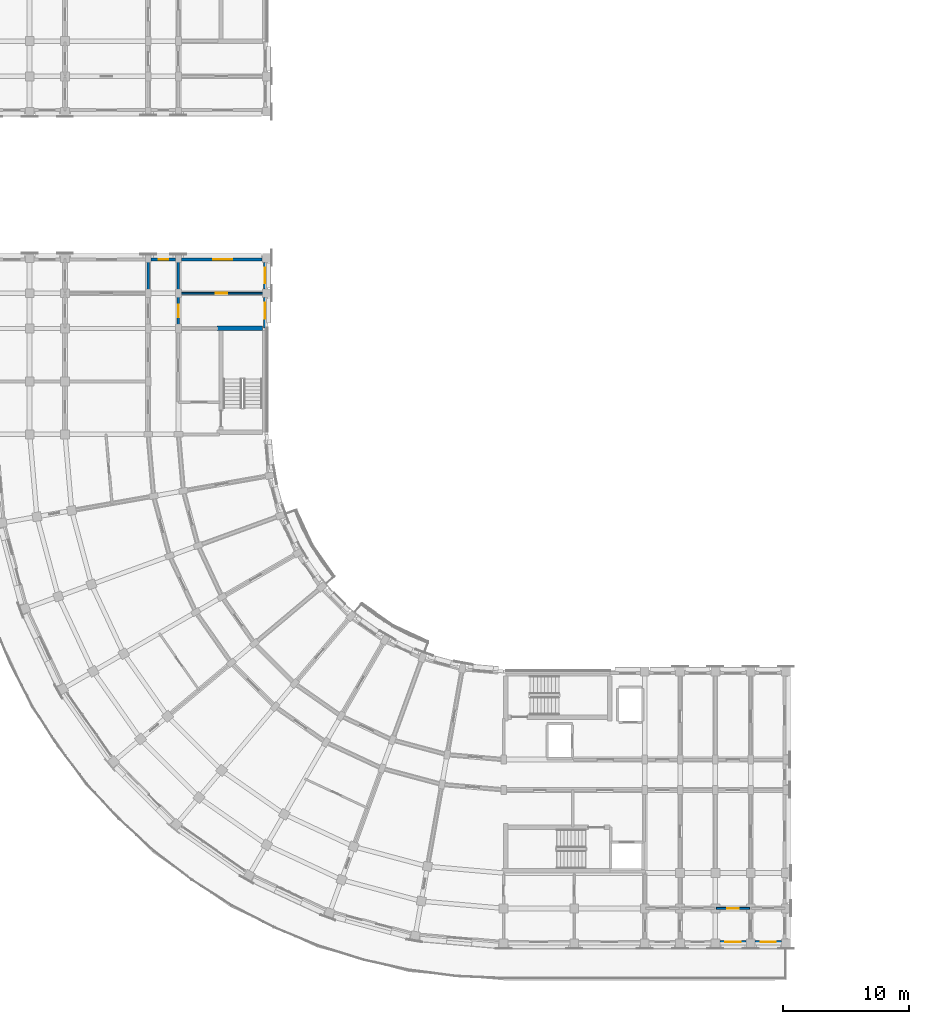
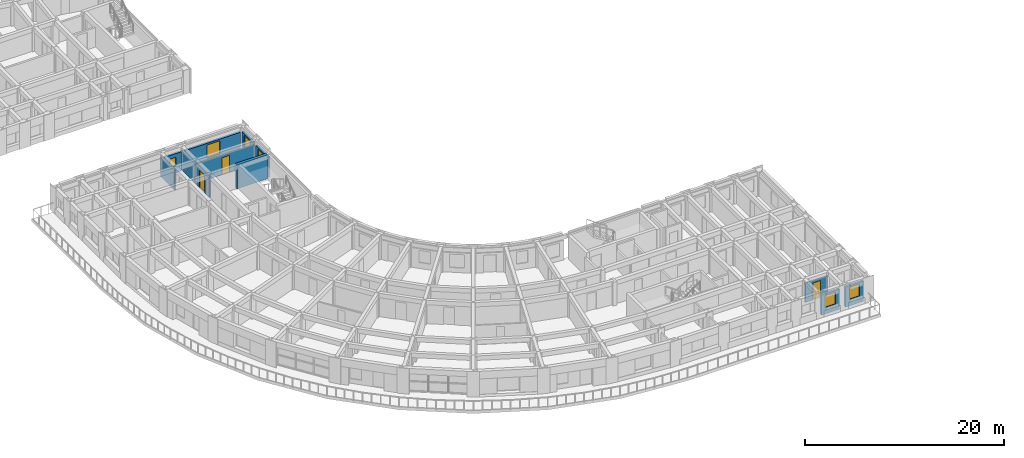
# One storey, part 22 of 57: 12 walls, 6 windows, 3 doors, 9 openings.
"""IFC4 building model written with IfcOpenShell, lengths in metres."""

from ifc_helpers import new_model, si_unit, direction, frame, frame_2d, origin, place, context, subcontext, project, spatial, rectangle, extrude, material, layer, layer_set, type_object, element, fill, save


model = new_model("IFC4")

# Units and contexts
model_context = context("Model", 3, precision=1e-05, world=origin(), true_north=direction((0.0, 1.0)))
body_context = subcontext(model_context, "Body", "Model", "MODEL_VIEW")
ifc_project = project(units=[si_unit("LENGTHUNIT", "METRE"), si_unit("AREAUNIT", "SQUARE_METRE"), si_unit("VOLUMEUNIT", "CUBIC_METRE"), si_unit("PLANEANGLEUNIT", "RADIAN"), si_unit("MASSUNIT", "GRAM", prefix="KILO")], contexts=[model_context])

# Site, building, storey
site_placement = place(None, origin())
site = spatial("IfcSite", under=ifc_project, at=site_placement, CompositionType="ELEMENT")
building_placement = place(site_placement, origin())
building = spatial("IfcBuilding", under=site, at=building_placement, Name="Kiranvali Square Residences", CompositionType="ELEMENT")
storey_placement = place(building_placement, frame((0.0, 0.0, 24.449951171875)))
storey = spatial("IfcBuildingStorey", under=building, at=storey_placement, Name="L07", CompositionType="ELEMENT", Elevation=24.449951171875)

# Wall, opening, door
ifc_material_1 = material(Name="Autoclaved aerated concrete blockwork masonry", Category="masonry")
ifc_layer_1 = layer(ifc_material_1, 0.199951171875)
ifc_layer_set_1 = layer_set([ifc_layer_1], Name="Autoclaved aerated concrete blockwork masonry")
wall_type_1 = type_object("IfcWallType", Name="WL-COR-200", PredefinedType="STANDARD", material=ifc_layer_set_1)
wall_1_placement = place(storey_placement, frame((22.39990234375, 56.60009765625, 0.0), z_axis=(0.0, 0.0, 1.0), x_axis=(0.0, 1.0, 0.0)))
wall_1 = element("IfcWall", 1, at=wall_1_placement, inside=storey, type_object=wall_type_1, Name="L07 architectural wall WL-L07-C-A2CI-0", PredefinedType="STANDARD", context=body_context, shape_type="SweptSolid", body=[
    extrude(rectangle(XDim=2.7998046875, YDim=0.199951171875, at=frame_2d((1.39990234375, 0.0))), origin(), (0.0, 0.0, 1.0), 2.3720703125),
])
opening_1_placement = place(wall_1_placement, frame((0.89990234375, 0.0, 0.0)))
opening_1 = element("IfcOpeningElement", 2, at=opening_1_placement, cuts=wall_1, Name="Opening FD-APT-60", PredefinedType="OPENING", context=body_context, shape_type="SweptSolid", body=[
    extrude(rectangle(XDim=1.0, YDim=2.14990234375, at=frame_2d((0.5, 1.074951171875))), frame((0.0, 0.10986328125, 0.0), z_axis=(0.0, -1.0, 0.0), x_axis=(1.0, 0.0, 0.0)), (0.0, 0.0, 1.0), 0.219970703125),
])
ifc_material_2 = material(Name="Fire-rated acoustic hardwood and mineral-core door assembly", Category="wood")
door_type_1 = type_object("IfcDoorType", Name="DR-APT-1000", OperationType="NOTDEFINED", PredefinedType="DOOR", material=ifc_material_2)
door_1_placement = place(opening_1_placement, origin())
door_1 = element("IfcDoor", 3, at=door_1_placement, inside=storey, type_object=door_type_1, Name="L07 door DR-L07-2193 (DR-APT-1000)", OperationType="SINGLE_SWING_LEFT", OverallHeight=2.14990234375, OverallWidth=1.0, PredefinedType="DOOR", context=body_context, shape_type="SweptSolid", body=[
    extrude(rectangle(XDim=1.0, YDim=2.14990234375, at=frame_2d((0.5, 1.074951171875))), frame((0.0, 0.02490234375, 0.0), z_axis=(0.0, -1.0, 0.0), x_axis=(1.0, 0.0, 0.0)), (0.0, 0.0, 1.0), 0.050048828125),
])
fill(opening_1, door_1)

# Walls
for number, where, z_axis, x_axis, name in (
    (4, (22.39990234375, 59.39990234375, 0.0), (0.0, 0.0, 1.0), (0.0, 1.0, 0.0), "L07 architectural wall WL-L07-C-A2CI-1"),
    (5, (20.0, 59.39990234375, 0.0), (0.0, 0.0, 1.0), (0.0, 1.0, 0.0), "L07 architectural wall WL-L07-C-A2CO-1"),
):
    element("IfcWall", number, at=place(storey_placement, frame(where, z_axis=z_axis, x_axis=x_axis)), inside=storey, type_object=wall_type_1, Name=name, PredefinedType="STANDARD", context=body_context, shape_type="SweptSolid", body=[
        extrude(rectangle(XDim=2.800048828125, YDim=0.199951171875, at=frame_2d((1.39990234375, 0.0))), origin(), (0.0, 0.0, 1.0), 2.3720703125),
    ])

# Wall, opening, window
ifc_material_3 = material(Name="Breathable lime-rendered clay brick masonry", Category="masonry")
ifc_layer_2 = layer(ifc_material_3, 0.25)
ifc_layer_set_2 = layer_set([ifc_layer_2], Name="Breathable lime-rendered clay brick masonry")
wall_type_2 = type_object("IfcWallType", Name="WL-EXT-250", PredefinedType="STANDARD", material=ifc_layer_set_2)
wall_2_placement = place(storey_placement, frame((65.353515625, 7.925048828125, 0.0), z_axis=(0.0, 0.0, 1.0), x_axis=(1.0, 0.0, 0.0)))
wall_2 = element("IfcWall", 6, at=wall_2_placement, inside=storey, type_object=wall_type_2, Name="L07 exterior wall C-L07-A1O-4", PredefinedType="STANDARD", context=body_context, shape_type="SweptSolid", body=[
    extrude(rectangle(XDim=2.093017578125, YDim=0.25, at=frame_2d((1.04638671875, 0.0))), origin(), (0.0, 0.0, 1.0), 2.47998046875),
])
opening_2_placement = place(wall_2_placement, frame((0.446533203125, 0.0, 0.780029296875)))
opening_2 = element("IfcOpeningElement", 7, at=opening_2_placement, cuts=wall_2, Name="Opening W-06", PredefinedType="OPENING", context=body_context, shape_type="SweptSolid", body=[
    extrude(rectangle(XDim=1.199951171875, YDim=1.5, at=frame_2d((0.60009765625, 0.75))), frame((0.0, 0.135009765625, 0.0), z_axis=(0.0, -1.0, 0.0), x_axis=(1.0, 0.0, 0.0)), (0.0, 0.0, 1.0), 0.27001953125),
])
ifc_material_4 = material(Name="Solar-control low-e double glazing", Category="glass")
window_type_1 = type_object("IfcWindowType", Name="WIN-RES-1200x1500", PartitioningType="SINGLE_PANEL", PredefinedType="WINDOW", material=ifc_material_4)
window_1_placement = place(opening_2_placement, origin())
window_1 = element("IfcWindow", 8, at=window_1_placement, inside=storey, type_object=window_type_1, Name="L07 recessed window C-L07-A1O-4", OverallHeight=1.5, OverallWidth=1.199951171875, PartitioningType="SINGLE_PANEL", PredefinedType="WINDOW", context=body_context, shape_type="SweptSolid", body=[
    extrude(rectangle(XDim=1.199951171875, YDim=1.5, at=frame_2d((0.60009765625, 0.75))), frame((0.0, 0.030029296875, 0.0), z_axis=(0.0, -1.0, 0.0), x_axis=(1.0, 0.0, 0.0)), (0.0, 0.0, 1.0), 0.06005859375),
])
fill(opening_2, window_1)

wall_3_placement = place(storey_placement, frame((68.153564453125, 7.925048828125, 0.0), z_axis=(0.0, 0.0, 1.0), x_axis=(1.0, 0.0, 0.0)))
wall_3 = element("IfcWall", 9, at=wall_3_placement, inside=storey, type_object=wall_type_2, Name="L07 exterior wall C-L07-A1O-5", PredefinedType="STANDARD", context=body_context, shape_type="SweptSolid", body=[
    extrude(rectangle(XDim=2.093017578125, YDim=0.25, at=frame_2d((1.04638671875, 0.0))), origin(), (0.0, 0.0, 1.0), 2.47998046875),
])
opening_3_placement = place(wall_3_placement, frame((0.446533203125, 0.0, 0.780029296875)))
opening_3 = element("IfcOpeningElement", 10, at=opening_3_placement, cuts=wall_3, Name="Opening W-06", PredefinedType="OPENING", context=body_context, shape_type="SweptSolid", body=[
    extrude(rectangle(XDim=1.199951171875, YDim=1.5, at=frame_2d((0.60009765625, 0.75))), frame((0.0, 0.135009765625, 0.0), z_axis=(0.0, -1.0, 0.0), x_axis=(1.0, 0.0, 0.0)), (0.0, 0.0, 1.0), 0.27001953125),
])
window_2_placement = place(opening_3_placement, origin())
window_2 = element("IfcWindow", 11, at=window_2_placement, inside=storey, type_object=window_type_1, Name="L07 recessed window C-L07-A1O-5", OverallHeight=1.5, OverallWidth=1.199951171875, PartitioningType="SINGLE_PANEL", PredefinedType="WINDOW", context=body_context, shape_type="SweptSolid", body=[
    extrude(rectangle(XDim=1.199951171875, YDim=1.5, at=frame_2d((0.60009765625, 0.75))), frame((0.0, 0.030029296875, 0.0), z_axis=(0.0, -1.0, 0.0), x_axis=(1.0, 0.0, 0.0)), (0.0, 0.0, 1.0), 0.06005859375),
])
fill(opening_3, window_2)

wall_4_placement = place(storey_placement, frame((29.27490234375, 56.62841796875, 0.0), z_axis=(0.0, 0.0, 1.0), x_axis=(0.0, 1.0, 0.0)))
wall_4 = element("IfcWall", 12, at=wall_4_placement, inside=storey, type_object=wall_type_2, Name="L07 exterior wall C-L07-A2I-0", PredefinedType="STANDARD", context=body_context, shape_type="SweptSolid", body=[
    extrude(rectangle(XDim=2.41796875, YDim=0.25, at=frame_2d((1.208984375, 0.0))), origin(), (0.0, 0.0, 1.0), 2.47216796875),
])
opening_4_placement = place(wall_4_placement, frame((0.74658203125, 0.0, 0.721923828125)))
opening_4 = element("IfcOpeningElement", 13, at=opening_4_placement, cuts=wall_4, Name="Opening W-19", PredefinedType="OPENING", context=body_context, shape_type="SweptSolid", body=[
    extrude(rectangle(XDim=1.25, YDim=1.550048828125, at=frame_2d((0.625, 0.77490234375))), frame((0.0, 0.135009765625, 0.0), z_axis=(0.0, -1.0, 0.0), x_axis=(1.0, 0.0, 0.0)), (0.0, 0.0, 1.0), 0.27001953125),
])
window_type_2 = type_object("IfcWindowType", Name="WIN-GDN-1250x1550", PartitioningType="SINGLE_PANEL", PredefinedType="WINDOW", material=ifc_material_4)
window_3_placement = place(opening_4_placement, origin())
window_3 = element("IfcWindow", 14, at=window_3_placement, inside=storey, type_object=window_type_2, Name="L07 recessed window C-L07-A2I-0", OverallHeight=1.550048828125, OverallWidth=1.25, PartitioningType="SINGLE_PANEL", PredefinedType="WINDOW", context=body_context, shape_type="SweptSolid", body=[
    extrude(rectangle(XDim=1.25, YDim=1.550048828125, at=frame_2d((0.625, 0.77490234375))), frame((0.0, 0.030029296875, 0.0), z_axis=(0.0, -1.0, 0.0), x_axis=(1.0, 0.0, 0.0)), (0.0, 0.0, 1.0), 0.06005859375),
])
fill(opening_4, window_3)

wall_5_placement = place(storey_placement, frame((29.27490234375, 59.75341796875, 0.0), z_axis=(0.0, 0.0, 1.0), x_axis=(0.0, 1.0, 0.0)))
wall_5 = element("IfcWall", 15, at=wall_5_placement, inside=storey, type_object=wall_type_2, Name="L07 exterior wall C-L07-A2I-1", PredefinedType="STANDARD", context=body_context, shape_type="SweptSolid", body=[
    extrude(rectangle(XDim=2.093017578125, YDim=0.25, at=frame_2d((1.04638671875, 0.0))), origin(), (0.0, 0.0, 1.0), 2.47216796875),
])
opening_5_placement = place(wall_5_placement, frame((0.42138671875, 0.0, 0.721923828125)))
opening_5 = element("IfcOpeningElement", 16, at=opening_5_placement, cuts=wall_5, Name="Opening W-19", PredefinedType="OPENING", context=body_context, shape_type="SweptSolid", body=[
    extrude(rectangle(XDim=1.25, YDim=1.550048828125, at=frame_2d((0.625, 0.77490234375))), frame((0.0, 0.135009765625, 0.0), z_axis=(0.0, -1.0, 0.0), x_axis=(1.0, 0.0, 0.0)), (0.0, 0.0, 1.0), 0.27001953125),
])
window_4_placement = place(opening_5_placement, origin())
window_4 = element("IfcWindow", 17, at=window_4_placement, inside=storey, type_object=window_type_2, Name="L07 recessed window C-L07-A2I-1", OverallHeight=1.550048828125, OverallWidth=1.25, PartitioningType="SINGLE_PANEL", PredefinedType="WINDOW", context=body_context, shape_type="SweptSolid", body=[
    extrude(rectangle(XDim=1.25, YDim=1.550048828125, at=frame_2d((0.625, 0.77490234375))), frame((0.0, 0.030029296875, 0.0), z_axis=(0.0, -1.0, 0.0), x_axis=(1.0, 0.0, 0.0)), (0.0, 0.0, 1.0), 0.06005859375),
])
fill(opening_5, window_4)

wall_6_placement = place(storey_placement, frame((29.04638671875, 62.074951171875, 0.0), z_axis=(0.0, 0.0, 1.0), x_axis=(-1.0, 0.0, 0.0)))
wall_6 = element("IfcWall", 18, at=wall_6_placement, inside=storey, type_object=wall_type_2, Name="L07 exterior wall C-L07-A2END-0", PredefinedType="STANDARD", context=body_context, shape_type="SweptSolid", body=[
    extrude(rectangle(XDim=6.41796875, YDim=0.25, at=frame_2d((3.208984375, 0.0))), origin(), (0.0, 0.0, 1.0), 2.3720703125),
])
opening_6_placement = place(wall_6_placement, frame((2.396484375, 0.0, 0.52197265625)))
opening_6 = element("IfcOpeningElement", 19, at=opening_6_placement, cuts=wall_6, Name="Opening W-05", PredefinedType="OPENING", context=body_context, shape_type="SweptSolid", body=[
    extrude(rectangle(XDim=1.5, YDim=1.64990234375, at=frame_2d((0.75, 0.824951171875))), frame((0.0, 0.135009765625, 0.0), z_axis=(0.0, -1.0, 0.0), x_axis=(1.0, 0.0, 0.0)), (0.0, 0.0, 1.0), 0.27001953125),
])
window_type_3 = type_object("IfcWindowType", Name="WIN-RES-1500x1650", PartitioningType="DOUBLE_PANEL_VERTICAL", PredefinedType="WINDOW", material=ifc_material_4)
window_5_placement = place(opening_6_placement, origin())
window_5 = element("IfcWindow", 20, at=window_5_placement, inside=storey, type_object=window_type_3, Name="L07 recessed window C-L07-A2END-0", OverallHeight=1.64990234375, OverallWidth=1.5, PartitioningType="DOUBLE_PANEL_VERTICAL", PredefinedType="WINDOW", context=body_context, shape_type="SweptSolid", body=[
    extrude(rectangle(XDim=1.5, YDim=1.64990234375, at=frame_2d((0.75, 0.824951171875))), frame((0.0, 0.030029296875, 0.0), z_axis=(0.0, -1.0, 0.0), x_axis=(1.0, 0.0, 0.0)), (0.0, 0.0, 1.0), 0.06005859375),
])
fill(opening_6, window_5)

wall_7_placement = place(storey_placement, frame((22.17138671875, 62.074951171875, 0.0), z_axis=(0.0, 0.0, 1.0), x_axis=(-1.0, 0.0, 0.0)))
wall_7 = element("IfcWall", 21, at=wall_7_placement, inside=storey, type_object=wall_type_2, Name="L07 exterior wall C-L07-A2END-1", PredefinedType="STANDARD", context=body_context, shape_type="SweptSolid", body=[
    extrude(rectangle(XDim=1.94287109375, YDim=0.25, at=frame_2d((0.971435546875, 0.0))), origin(), (0.0, 0.0, 1.0), 2.3720703125),
])
opening_7_placement = place(wall_7_placement, frame((0.596435546875, 0.0, 0.8798828125)))
opening_7 = element("IfcOpeningElement", 22, at=opening_7_placement, cuts=wall_7, Name="Opening W-07", PredefinedType="OPENING", context=body_context, shape_type="SweptSolid", body=[
    extrude(rectangle(XDim=0.75, YDim=1.050048828125, at=frame_2d((0.375, 0.52490234375))), frame((0.0, 0.135009765625, 0.0), z_axis=(0.0, -1.0, 0.0), x_axis=(1.0, 0.0, 0.0)), (0.0, 0.0, 1.0), 0.27001953125),
])
window_type_4 = type_object("IfcWindowType", Name="WIN-WET-750x1050", PartitioningType="SINGLE_PANEL", PredefinedType="WINDOW", material=ifc_material_4)
window_6_placement = place(opening_7_placement, origin())
window_6 = element("IfcWindow", 23, at=window_6_placement, inside=storey, type_object=window_type_4, Name="L07 recessed window C-L07-A2END-1", OverallHeight=1.050048828125, OverallWidth=0.75, PartitioningType="SINGLE_PANEL", PredefinedType="WINDOW", context=body_context, shape_type="SweptSolid", body=[
    extrude(rectangle(XDim=0.75, YDim=1.050048828125, at=frame_2d((0.375, 0.52490234375))), frame((0.0, 0.030029296875, 0.0), z_axis=(0.0, -1.0, 0.0), x_axis=(1.0, 0.0, 0.0)), (0.0, 0.0, 1.0), 0.06005859375),
])
fill(opening_7, window_6)

# Wall, opening, door
ifc_material_5 = material(Name="Acoustic gypsum board drylined partition", Category="gypsum")
ifc_layer_3 = layer(ifc_material_5, 0.14990234375)
ifc_layer_set_3 = layer_set([ifc_layer_3], Name="Acoustic gypsum board drylined partition")
wall_type_3 = type_object("IfcWallType", Name="WL-PRT-150", PredefinedType="PARTITIONING", material=ifc_layer_set_3)
wall_8_placement = place(storey_placement, frame((29.199951171875, 59.39990234375, 0.0), z_axis=(0.0, 0.0, 1.0), x_axis=(-1.0, 0.0, 0.0)))
wall_8 = element("IfcWall", 24, at=wall_8_placement, inside=storey, type_object=wall_type_3, Name="L07 architectural wall WL-L07-C-A2TI-1", PredefinedType="PARTITIONING", context=body_context, shape_type="SweptSolid", body=[
    extrude(rectangle(XDim=6.75, YDim=0.14990234375, at=frame_2d((3.375, 0.0))), origin(), (0.0, 0.0, 1.0), 2.3720703125),
])
opening_8_placement = place(wall_8_placement, frame((2.925048828125, 0.0, 0.0)))
opening_8 = element("IfcOpeningElement", 25, at=opening_8_placement, cuts=wall_8, Name="Opening ID-1", PredefinedType="OPENING", context=body_context, shape_type="SweptSolid", body=[
    extrude(rectangle(XDim=0.89990234375, YDim=2.10009765625, at=frame_2d((0.449951171875, 1.050048828125))), frame((0.0, 0.0849609375, 0.0), z_axis=(0.0, -1.0, 0.0), x_axis=(1.0, 0.0, 0.0)), (0.0, 0.0, 1.0), 0.169921875),
])
ifc_material_6 = material(Name="Solid seasoned teak hardwood joinery", Category="wood")
door_type_2 = type_object("IfcDoorType", Name="DR-INT-900", OperationType="NOTDEFINED", PredefinedType="DOOR", material=ifc_material_6)
door_2_placement = place(opening_8_placement, origin())
door_2 = element("IfcDoor", 26, at=door_2_placement, inside=storey, type_object=door_type_2, Name="L07 door DR-L07-2197 (DR-INT-900)", OperationType="SINGLE_SWING_LEFT", OverallHeight=2.10009765625, OverallWidth=0.89990234375, PredefinedType="DOOR", context=body_context, shape_type="SweptSolid", body=[
    extrude(rectangle(XDim=0.89990234375, YDim=2.10009765625, at=frame_2d((0.449951171875, 1.050048828125))), frame((0.0, 0.02490234375, 0.0), z_axis=(0.0, -1.0, 0.0), x_axis=(1.0, 0.0, 0.0)), (0.0, 0.0, 1.0), 0.050048828125),
])
fill(opening_8, door_2)

# Wall
ifc_material_7 = material(Name="Concrete M45 (45 MPa)", Category="concrete")
ifc_layer_4 = layer(ifc_material_7, 0.320068359375)
ifc_layer_set_4 = layer_set([ifc_layer_4], Name="Concrete M45 (45 MPa)")
wall_type_4 = type_object("IfcWallType", Name="WL-SHR-320", PredefinedType="SHEAR", material=ifc_layer_set_4)
wall_9_placement = place(storey_placement, frame((29.050048828125, 56.625, 0.0), z_axis=(0.0, 0.0, 1.0), x_axis=(-1.0, 0.0, 0.0)))
element("IfcWall", 27, at=wall_9_placement, inside=storey, type_object=wall_type_4, Name="Block C core shear wall SW-C3-FAR-L07", PredefinedType="SHEAR", context=body_context, shape_type="SweptSolid", body=[
    extrude(rectangle(XDim=3.60009765625, YDim=0.35009765625, at=frame_2d((1.800048828125, 0.0))), origin(), (0.0, 0.0, 1.0), 2.929931640625),
])

# Wall, opening, door
ifc_layer_5 = layer(ifc_material_1, 0.14990234375)
ifc_layer_set_5 = layer_set([ifc_layer_5], Name="Autoclaved aerated concrete blockwork masonry")
wall_type_5 = type_object("IfcWallType", Name="WL-WET-150", PredefinedType="PLUMBINGWALL", material=ifc_layer_set_5)
wall_10_placement = place(storey_placement, frame((65.080078125, 10.60009765625, 0.0), z_axis=(0.0, 0.0, 1.0), x_axis=(1.0, 0.0, 0.0)))
wall_10 = element("IfcWall", 28, at=wall_10_placement, inside=storey, type_object=wall_type_5, Name="L07 architectural wall WL-L07-C-A1SP-2", PredefinedType="PLUMBINGWALL", context=body_context, shape_type="SweptSolid", body=[
    extrude(rectangle(XDim=2.639892578125, YDim=0.14990234375, at=frame_2d((1.31982421875, 0.0))), origin(), (0.0, 0.0, 1.0), 2.3720703125),
])
opening_9_placement = place(wall_10_placement, frame((0.8701171875, 0.0, 0.0)))
opening_9 = element("IfcOpeningElement", 29, at=opening_9_placement, cuts=wall_10, Name="Opening ID-1", PredefinedType="OPENING", context=body_context, shape_type="SweptSolid", body=[
    extrude(rectangle(XDim=0.89990234375, YDim=2.10009765625, at=frame_2d((0.449951171875, 1.050048828125))), frame((0.0, 0.0849609375, 0.0), z_axis=(0.0, -1.0, 0.0), x_axis=(1.0, 0.0, 0.0)), (0.0, 0.0, 1.0), 0.169921875),
])
door_3_placement = place(opening_9_placement, origin())
door_3 = element("IfcDoor", 30, at=door_3_placement, inside=storey, type_object=door_type_2, Name="L07 door DR-L07-2157 (DR-INT-900)", OperationType="SINGLE_SWING_LEFT", OverallHeight=2.10009765625, OverallWidth=0.89990234375, PredefinedType="DOOR", context=body_context, shape_type="SweptSolid", body=[
    extrude(rectangle(XDim=0.89990234375, YDim=2.10009765625, at=frame_2d((0.449951171875, 1.050048828125))), frame((0.0, 0.02490234375, 0.0), z_axis=(0.0, -1.0, 0.0), x_axis=(1.0, 0.0, 0.0)), (0.0, 0.0, 1.0), 0.050048828125),
])
fill(opening_9, door_3)

save(model, "model.ifc")
